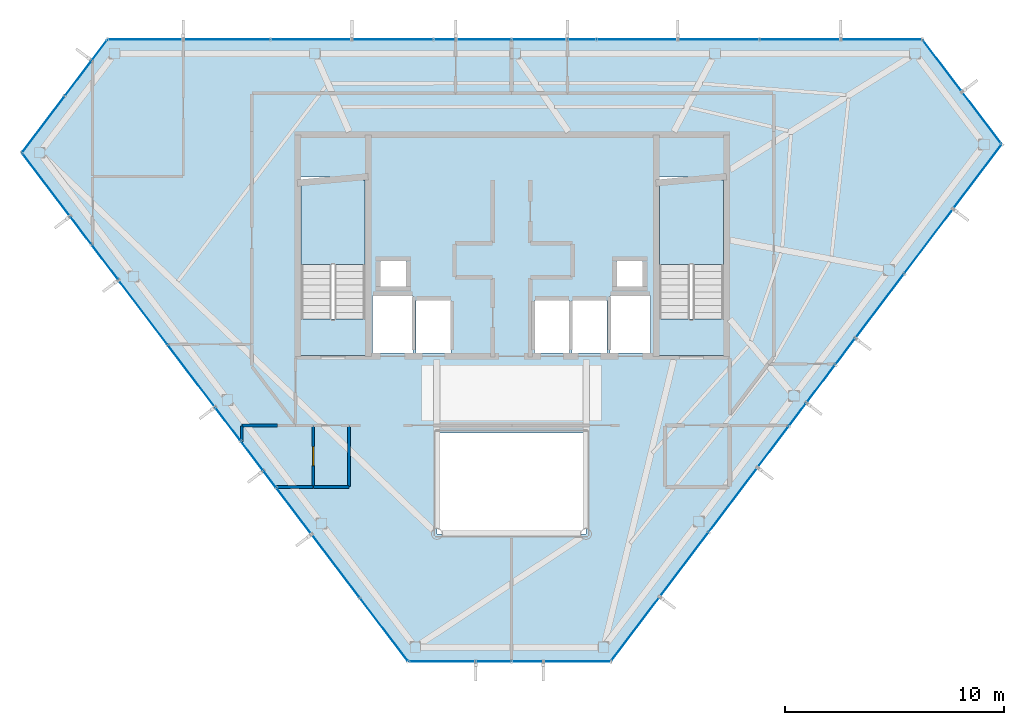
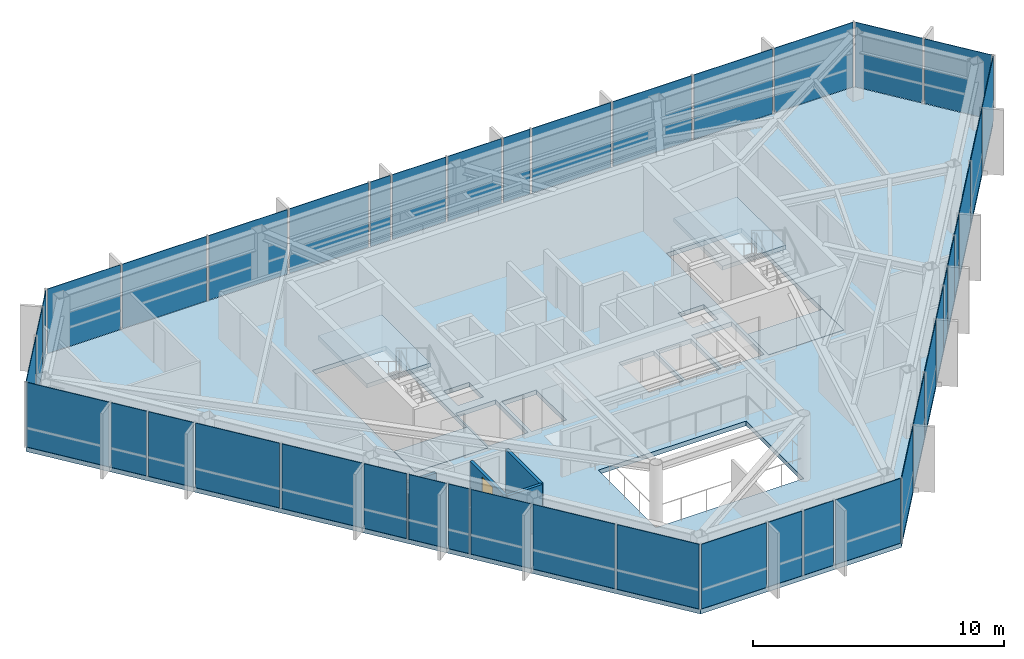
# One storey, part 20 of 24: 42 plates, 6 walls, 5 slabs, 1 door, 1 opening, 8 elements without a shape of their own.
"""IFC4 building model written with IfcOpenShell, lengths in metres."""

from ifc_helpers import new_model, si_unit, direction, frame, frame_2d, origin, origin_2d, place, context, subcontext, project, spatial, polyline, rectangle, outline, extrude, material, layer, layer_set, type_object, element, fill, aggregate, save


model = new_model("IFC4")

# Units and contexts
model_context = context("Model", 3, precision=1e-05, world=origin(), true_north=direction((0.0, 1.0)))
body_context = subcontext(model_context, "Body", "Model", "MODEL_VIEW")
ifc_project = project(units=[si_unit("LENGTHUNIT", "METRE"), si_unit("AREAUNIT", "SQUARE_METRE"), si_unit("VOLUMEUNIT", "CUBIC_METRE"), si_unit("PLANEANGLEUNIT", "RADIAN"), si_unit("MASSUNIT", "GRAM", prefix="KILO")], contexts=[model_context])

# Site, building, storey
site_placement = place(None, origin())
site = spatial("IfcSite", under=ifc_project, at=site_placement, CompositionType="ELEMENT")
building_placement = place(site_placement, origin())
building = spatial("IfcBuilding", under=site, at=building_placement, Name="Zarrinselat Tower", CompositionType="ELEMENT")
storey_placement = place(building_placement, frame((0.0, 0.0, 268.60009765625)))
storey = spatial("IfcBuildingStorey", under=building, at=storey_placement, Name="L68", CompositionType="ELEMENT", Elevation=268.60009765625)

# Curtain wall, plates
ifc_material_1 = material(Name="Extruded Aluminium Alloy EN AW-6063 T6", Category="aluminium")
ifc_layer_1 = layer(ifc_material_1, 0.169921875)
ifc_layer_set_1 = layer_set([ifc_layer_1], Name="Extruded Aluminium Alloy EN AW-6063 T6")
curtain_wall_type_1 = type_object("IfcCurtainWallType", Name="CWS-RES", PredefinedType="NOTDEFINED", material=ifc_layer_set_1)
curtain_wall_1_placement = place(storey_placement, origin())
curtain_wall_1 = element("IfcCurtainWall", 1, at=curtain_wall_1_placement, inside=storey, type_object=curtain_wall_type_1, Name="L68 Unitised Curtain Wall CW-L68-E01", PredefinedType="NOTDEFINED")
ifc_material_2 = material(Name="Double Low-E Laminated Solar Glass", Category="glass")
ifc_layer_2 = layer(ifc_material_2, 0.028076171875)
ifc_layer_set_2 = layer_set([ifc_layer_2], Name="Double Low-E Laminated Solar Glass")
plate_type = type_object("IfcPlateType", Name="PLT-CW-GL28", PredefinedType="CURTAIN_PANEL", material=ifc_layer_set_2)
plate_1_placement = place(storey_placement, frame((55.26904296875, 47.75, 0.02001953125), z_axis=(0.0, 0.0, 1.0), x_axis=(-1.0, 0.0, 0.0)))
plate_1 = element("IfcPlate", 2, at=plate_1_placement, type_object=plate_type, Name="CW-L68-E01 Vision Glass Panel 1", PredefinedType="CURTAIN_PANEL", context=body_context, shape_type="SweptSolid", body=[
    extrude(rectangle(XDim=3.6142578125, YDim=0.028076171875, at=origin_2d()), origin(), (0.0, 0.0, 1.0), 3.139892578125),
])
plate_2_placement = place(storey_placement, frame((51.5546875, 47.75, 0.02001953125), z_axis=(0.0, 0.0, 1.0), x_axis=(-1.0, 0.0, 0.0)))
plate_2 = element("IfcPlate", 3, at=plate_2_placement, type_object=plate_type, Name="CW-L68-E01 Vision Glass Panel 2", PredefinedType="CURTAIN_PANEL", context=body_context, shape_type="SweptSolid", body=[
    extrude(rectangle(XDim=3.6142578125, YDim=0.028076171875, at=origin_2d()), origin(), (0.0, 0.0, 1.0), 3.139892578125),
])
plate_3_placement = place(storey_placement, frame((47.840576171875, 47.75, 0.02001953125), z_axis=(0.0, 0.0, 1.0), x_axis=(-1.0, 0.0, 0.0)))
plate_3 = element("IfcPlate", 4, at=plate_3_placement, type_object=plate_type, Name="CW-L68-E01 Vision Glass Panel 3", PredefinedType="CURTAIN_PANEL", context=body_context, shape_type="SweptSolid", body=[
    extrude(rectangle(XDim=3.6142578125, YDim=0.028076171875, at=origin_2d()), origin(), (0.0, 0.0, 1.0), 3.139892578125),
])
plate_4_placement = place(storey_placement, frame((44.12646484375, 47.75, 0.02001953125), z_axis=(0.0, 0.0, 1.0), x_axis=(-1.0, 0.0, 0.0)))
plate_4 = element("IfcPlate", 5, at=plate_4_placement, type_object=plate_type, Name="CW-L68-E01 Vision Glass Panel 4", PredefinedType="CURTAIN_PANEL", context=body_context, shape_type="SweptSolid", body=[
    extrude(rectangle(XDim=3.6142578125, YDim=0.028076171875, at=origin_2d()), origin(), (0.0, 0.0, 1.0), 3.139892578125),
])
plate_5_placement = place(storey_placement, frame((41.609619140625, 47.75, 0.02001953125), z_axis=(0.0, 0.0, 1.0), x_axis=(-1.0, 0.0, 0.0)))
plate_5 = element("IfcPlate", 6, at=plate_5_placement, type_object=plate_type, Name="CW-L68-E01 Vision Glass Panel 5", PredefinedType="CURTAIN_PANEL", context=body_context, shape_type="SweptSolid", body=[
    extrude(rectangle(XDim=1.21923828125, YDim=0.028076171875, at=origin_2d()), origin(), (0.0, 0.0, 1.0), 3.139892578125),
])
plate_6_placement = place(storey_placement, frame((39.675048828125, 47.75, 0.02001953125), z_axis=(0.0, 0.0, 1.0), x_axis=(-1.0, 0.0, 0.0)))
plate_6 = element("IfcPlate", 7, at=plate_6_placement, type_object=plate_type, Name="CW-L68-E01 Vision Glass Panel 6", PredefinedType="CURTAIN_PANEL", context=body_context, shape_type="SweptSolid", body=[
    extrude(rectangle(XDim=2.449951171875, YDim=0.028076171875, at=origin_2d()), origin(), (0.0, 0.0, 1.0), 3.139892578125),
])
plate_7_placement = place(storey_placement, frame((37.125, 47.75, 0.02001953125), z_axis=(0.0, 0.0, 1.0), x_axis=(-1.0, 0.0, 0.0)))
plate_7 = element("IfcPlate", 8, at=plate_7_placement, type_object=plate_type, Name="CW-L68-E01 Vision Glass Panel 7", PredefinedType="CURTAIN_PANEL", context=body_context, shape_type="SweptSolid", body=[
    extrude(rectangle(XDim=2.449951171875, YDim=0.028076171875, at=origin_2d()), origin(), (0.0, 0.0, 1.0), 3.139892578125),
])
plate_8_placement = place(storey_placement, frame((35.345458984375, 47.75, 0.02001953125), z_axis=(0.0, 0.0, 1.0), x_axis=(-1.0, 0.0, 0.0)))
plate_8 = element("IfcPlate", 9, at=plate_8_placement, type_object=plate_type, Name="CW-L68-E01 Vision Glass Panel 8", PredefinedType="CURTAIN_PANEL", context=body_context, shape_type="SweptSolid", body=[
    extrude(rectangle(XDim=0.9091796875, YDim=0.028076171875, at=origin_2d()), origin(), (0.0, 0.0, 1.0), 3.139892578125),
])
plate_9_placement = place(storey_placement, frame((32.983642578125, 47.75, 0.02001953125), z_axis=(0.0, 0.0, 1.0), x_axis=(-1.0, 0.0, 0.0)))
plate_9 = element("IfcPlate", 10, at=plate_9_placement, type_object=plate_type, Name="CW-L68-E01 Vision Glass Panel 9", PredefinedType="CURTAIN_PANEL", context=body_context, shape_type="SweptSolid", body=[
    extrude(rectangle(XDim=3.6142578125, YDim=0.028076171875, at=origin_2d()), origin(), (0.0, 0.0, 1.0), 3.139892578125),
])
plate_10_placement = place(storey_placement, frame((29.269287109375, 47.75, 0.02001953125), z_axis=(0.0, 0.0, 1.0), x_axis=(-1.0, 0.0, 0.0)))
plate_10 = element("IfcPlate", 11, at=plate_10_placement, type_object=plate_type, Name="CW-L68-E01 Vision Glass Panel 10", PredefinedType="CURTAIN_PANEL", context=body_context, shape_type="SweptSolid", body=[
    extrude(rectangle(XDim=3.6142578125, YDim=0.028076171875, at=origin_2d()), origin(), (0.0, 0.0, 1.0), 3.139892578125),
])
plate_11_placement = place(storey_placement, frame((25.42578125, 47.75, 0.02001953125), z_axis=(0.0, 0.0, 1.0), x_axis=(-1.0, 0.0, 0.0)))
plate_11 = element("IfcPlate", 12, at=plate_11_placement, type_object=plate_type, Name="CW-L68-E01 Vision Glass Panel 11", PredefinedType="CURTAIN_PANEL", context=body_context, shape_type="SweptSolid", body=[
    extrude(rectangle(XDim=3.873046875, YDim=0.028076171875, at=origin_2d()), origin(), (0.0, 0.0, 1.0), 3.139892578125),
])
plate_12_placement = place(storey_placement, frame((21.71142578125, 47.75, 0.02001953125), z_axis=(0.0, 0.0, 1.0), x_axis=(-1.0, 0.0, 0.0)))
plate_12 = element("IfcPlate", 13, at=plate_12_placement, type_object=plate_type, Name="CW-L68-E01 Vision Glass Panel 12", PredefinedType="CURTAIN_PANEL", context=body_context, shape_type="SweptSolid", body=[
    extrude(rectangle(XDim=3.35546875, YDim=0.028076171875, at=origin_2d()), origin(), (0.0, 0.0, 1.0), 3.139892578125),
])
aggregate(curtain_wall_1, [plate_1, plate_2, plate_3, plate_4, plate_5, plate_6, plate_7, plate_8, plate_9, plate_10, plate_11, plate_12])

curtain_wall_2_placement = place(storey_placement, origin())
curtain_wall_2 = element("IfcCurtainWall", 14, at=curtain_wall_2_placement, inside=storey, type_object=curtain_wall_type_1, Name="L68 Unitised Curtain Wall CW-L68-E02", PredefinedType="NOTDEFINED")
plate_13_placement = place(storey_placement, frame((19.619140625, 47.267822265625, 0.02001953125), z_axis=(0.0, 0.0, 1.0), x_axis=(-0.603180355329, -0.797604826305, 0.0)))
plate_13 = element("IfcPlate", 15, at=plate_13_placement, type_object=plate_type, Name="CW-L68-E02 Vision Glass Panel 1", PredefinedType="CURTAIN_PANEL", context=body_context, shape_type="SweptSolid", body=[
    extrude(rectangle(XDim=1.109130859375, YDim=0.028076171875, at=origin_2d()), origin(), (0.0, 0.0, 1.0), 3.139892578125),
])
plate_14_placement = place(storey_placement, frame((18.64208984375, 45.9755859375, 0.02001953125), z_axis=(0.0, 0.0, 1.0), x_axis=(-0.603180355329, -0.797604826305, 0.0)))
plate_14 = element("IfcPlate", 16, at=plate_14_placement, type_object=plate_type, Name="CW-L68-E02 Vision Glass Panel 2", PredefinedType="CURTAIN_PANEL", context=body_context, shape_type="SweptSolid", body=[
    extrude(rectangle(XDim=1.930908203125, YDim=0.028076171875, at=origin_2d()), origin(), (0.0, 0.0, 1.0), 3.139892578125),
])
plate_15_placement = place(storey_placement, frame((17.05224609375, 43.87353515625, 0.02001953125), z_axis=(0.0, 0.0, 1.0), x_axis=(-0.603180355329, -0.797604826305, 0.0)))
plate_15 = element("IfcPlate", 17, at=plate_15_placement, type_object=plate_type, Name="CW-L68-E02 Vision Glass Panel 3", PredefinedType="CURTAIN_PANEL", context=body_context, shape_type="SweptSolid", body=[
    extrude(rectangle(XDim=3.14013671875, YDim=0.028076171875, at=origin_2d()), origin(), (0.0, 0.0, 1.0), 3.139892578125),
])
aggregate(curtain_wall_2, [plate_13, plate_14, plate_15])

curtain_wall_3_placement = place(storey_placement, origin())
curtain_wall_3 = element("IfcCurtainWall", 18, at=curtain_wall_3_placement, inside=storey, type_object=curtain_wall_type_1, Name="L68 Unitised Curtain Wall CW-L68-E03", PredefinedType="NOTDEFINED")
plate_16_placement = place(storey_placement, frame((17.17578125, 41.1318359375, 0.02001953125), z_axis=(0.0, 0.0, 1.0), x_axis=(0.604787567266, -0.796386839721, 0.0)))
plate_16 = element("IfcPlate", 19, at=plate_16_placement, type_object=plate_type, Name="CW-L68-E03 Vision Glass Panel 1", PredefinedType="CURTAIN_PANEL", context=body_context, shape_type="SweptSolid", body=[
    extrude(rectangle(XDim=3.540283203125, YDim=0.028076171875, at=origin_2d()), origin(), (0.0, 0.0, 1.0), 3.139892578125),
])
plate_17_placement = place(storey_placement, frame((18.765625, 39.03857421875, 0.02001953125), z_axis=(0.0, 0.0, 1.0), x_axis=(0.604787567266, -0.796386839721, 0.0)))
plate_17 = element("IfcPlate", 20, at=plate_17_placement, type_object=plate_type, Name="CW-L68-E03 Vision Glass Panel 2", PredefinedType="CURTAIN_PANEL", context=body_context, shape_type="SweptSolid", body=[
    extrude(rectangle(XDim=1.5166015625, YDim=0.028076171875, at=origin_2d()), origin(), (0.0, 0.0, 1.0), 3.139892578125),
])
plate_18_placement = place(storey_placement, frame((19.866455078125, 37.5888671875, 0.02001953125), z_axis=(0.0, 0.0, 1.0), x_axis=(0.604787567266, -0.796386839721, 0.0)))
plate_18 = element("IfcPlate", 21, at=plate_18_placement, type_object=plate_type, Name="CW-L68-E03 Vision Glass Panel 3", PredefinedType="CURTAIN_PANEL", context=body_context, shape_type="SweptSolid", body=[
    extrude(rectangle(XDim=1.923583984375, YDim=0.028076171875, at=origin_2d()), origin(), (0.0, 0.0, 1.0), 3.139892578125),
])
plate_19_placement = place(storey_placement, frame((21.605712890625, 35.298583984375, 0.02001953125), z_axis=(0.0, 0.0, 1.0), x_axis=(0.604787567266, -0.796386839721, 0.0)))
plate_19 = element("IfcPlate", 22, at=plate_19_placement, type_object=plate_type, Name="CW-L68-E03 Vision Glass Panel 4", PredefinedType="CURTAIN_PANEL", context=body_context, shape_type="SweptSolid", body=[
    extrude(rectangle(XDim=3.628173828125, YDim=0.028076171875, at=origin_2d()), origin(), (0.0, 0.0, 1.0), 3.139892578125),
])
plate_20_placement = place(storey_placement, frame((23.8076171875, 32.3994140625, 0.02001953125), z_axis=(0.0, 0.0, 1.0), x_axis=(0.604787567266, -0.796386839721, 0.0)))
plate_20 = element("IfcPlate", 23, at=plate_20_placement, type_object=plate_type, Name="CW-L68-E03 Vision Glass Panel 5", PredefinedType="CURTAIN_PANEL", context=body_context, shape_type="SweptSolid", body=[
    extrude(rectangle(XDim=3.45263671875, YDim=0.028076171875, at=origin_2d()), origin(), (0.0, 0.0, 1.0), 3.139892578125),
])
plate_21_placement = place(storey_placement, frame((25.467041015625, 30.214111328125, 0.02001953125), z_axis=(0.0, 0.0, 1.0), x_axis=(0.604787567266, -0.796386839721, 0.0)))
plate_21 = element("IfcPlate", 24, at=plate_21_placement, type_object=plate_type, Name="CW-L68-E03 Vision Glass Panel 6", PredefinedType="CURTAIN_PANEL", context=body_context, shape_type="SweptSolid", body=[
    extrude(rectangle(XDim=1.835205078125, YDim=0.028076171875, at=origin_2d()), origin(), (0.0, 0.0, 1.0), 3.139892578125),
])
plate_22_placement = place(storey_placement, frame((26.56787109375, 28.764404296875, 0.02001953125), z_axis=(0.0, 0.0, 1.0), x_axis=(0.604787567266, -0.796386839721, 0.0)))
plate_22 = element("IfcPlate", 25, at=plate_22_placement, type_object=plate_type, Name="CW-L68-E03 Vision Glass Panel 7", PredefinedType="CURTAIN_PANEL", context=body_context, shape_type="SweptSolid", body=[
    extrude(rectangle(XDim=1.605224609375, YDim=0.028076171875, at=origin_2d()), origin(), (0.0, 0.0, 1.0), 3.139892578125),
])
plate_23_placement = place(storey_placement, frame((27.37890625, 27.696533203125, 0.02001953125), z_axis=(0.0, 0.0, 1.0), x_axis=(0.604787567266, -0.796386839721, 0.0)))
plate_23 = element("IfcPlate", 26, at=plate_23_placement, type_object=plate_type, Name="CW-L68-E03 Vision Glass Panel 8", PredefinedType="CURTAIN_PANEL", context=body_context, shape_type="SweptSolid", body=[
    extrude(rectangle(XDim=0.876708984375, YDim=0.028076171875, at=origin_2d()), origin(), (0.0, 0.0, 1.0), 3.139892578125),
])
plate_24_placement = place(storey_placement, frame((28.479736328125, 26.2470703125, 0.02001953125), z_axis=(0.0, 0.0, 1.0), x_axis=(0.604787567266, -0.796386839721, 0.0)))
plate_24 = element("IfcPlate", 27, at=plate_24_placement, type_object=plate_type, Name="CW-L68-E03 Vision Glass Panel 9", PredefinedType="CURTAIN_PANEL", context=body_context, shape_type="SweptSolid", body=[
    extrude(rectangle(XDim=2.563720703125, YDim=0.028076171875, at=origin_2d()), origin(), (0.0, 0.0, 1.0), 3.139892578125),
])
plate_25_placement = place(storey_placement, frame((30.385986328125, 23.73681640625, 0.02001953125), z_axis=(0.0, 0.0, 1.0), x_axis=(0.604787567266, -0.796386839721, 0.0)))
plate_25 = element("IfcPlate", 28, at=plate_25_placement, type_object=plate_type, Name="CW-L68-E03 Vision Glass Panel 10", PredefinedType="CURTAIN_PANEL", context=body_context, shape_type="SweptSolid", body=[
    extrude(rectangle(XDim=3.540283203125, YDim=0.028076171875, at=origin_2d()), origin(), (0.0, 0.0, 1.0), 3.139892578125),
])
plate_26_placement = place(storey_placement, frame((32.587646484375, 20.837646484375, 0.02001953125), z_axis=(0.0, 0.0, 1.0), x_axis=(0.604787567266, -0.796386839721, 0.0)))
plate_26 = element("IfcPlate", 29, at=plate_26_placement, type_object=plate_type, Name="CW-L68-E03 Vision Glass Panel 11", PredefinedType="CURTAIN_PANEL", context=body_context, shape_type="SweptSolid", body=[
    extrude(rectangle(XDim=3.540283203125, YDim=0.028076171875, at=origin_2d()), origin(), (0.0, 0.0, 1.0), 3.139892578125),
])
aggregate(curtain_wall_3, [plate_16, plate_17, plate_18, plate_19, plate_20, plate_21, plate_22, plate_23, plate_24, plate_25, plate_26])

curtain_wall_4_placement = place(storey_placement, origin())
curtain_wall_4 = element("IfcCurtainWall", 30, at=curtain_wall_4_placement, inside=storey, type_object=curtain_wall_type_1, Name="L68 Unitised Curtain Wall CW-L68-E04", PredefinedType="NOTDEFINED")
plate_27_placement = place(storey_placement, frame((35.228271484375, 19.387939453125, 0.02001953125), z_axis=(0.0, 0.0, 1.0), x_axis=(1.0, 0.0, 0.0)))
plate_27 = element("IfcPlate", 31, at=plate_27_placement, type_object=plate_type, Name="CW-L68-E04 Vision Glass Panel 1", PredefinedType="CURTAIN_PANEL", context=body_context, shape_type="SweptSolid", body=[
    extrude(rectangle(XDim=2.9794921875, YDim=0.028076171875, at=origin_2d()), origin(), (0.0, 0.0, 1.0), 3.139892578125),
])
plate_28_placement = place(storey_placement, frame((37.583984375, 19.387939453125, 0.02001953125), z_axis=(0.0, 0.0, 1.0), x_axis=(1.0, 0.0, 0.0)))
plate_28 = element("IfcPlate", 32, at=plate_28_placement, type_object=plate_type, Name="CW-L68-E04 Vision Glass Panel 2", PredefinedType="CURTAIN_PANEL", context=body_context, shape_type="SweptSolid", body=[
    extrude(rectangle(XDim=1.531982421875, YDim=0.028076171875, at=origin_2d()), origin(), (0.0, 0.0, 1.0), 3.139892578125),
])
plate_29_placement = place(storey_placement, frame((39.123779296875, 19.387939453125, 0.02001953125), z_axis=(0.0, 0.0, 1.0), x_axis=(1.0, 0.0, 0.0)))
plate_29 = element("IfcPlate", 33, at=plate_29_placement, type_object=plate_type, Name="CW-L68-E04 Vision Glass Panel 3", PredefinedType="CURTAIN_PANEL", context=body_context, shape_type="SweptSolid", body=[
    extrude(rectangle(XDim=1.34765625, YDim=0.028076171875, at=origin_2d()), origin(), (0.0, 0.0, 1.0), 3.139892578125),
])
plate_30_placement = place(storey_placement, frame((41.38720703125, 19.387939453125, 0.02001953125), z_axis=(0.0, 0.0, 1.0), x_axis=(1.0, 0.0, 0.0)))
plate_30 = element("IfcPlate", 34, at=plate_30_placement, type_object=plate_type, Name="CW-L68-E04 Vision Glass Panel 4", PredefinedType="CURTAIN_PANEL", context=body_context, shape_type="SweptSolid", body=[
    extrude(rectangle(XDim=2.9794921875, YDim=0.028076171875, at=origin_2d()), origin(), (0.0, 0.0, 1.0), 3.139892578125),
])
aggregate(curtain_wall_4, [plate_27, plate_28, plate_29, plate_30])

ifc_material_3 = material(Name="Extruded Aluminium Alloy EN AW-6063 T6", Category="aluminium")
ifc_layer_3 = layer(ifc_material_3, 0.199951171875)
ifc_layer_set_3 = layer_set([ifc_layer_3], Name="Extruded Aluminium Alloy EN AW-6063 T6")
curtain_wall_type_2 = type_object("IfcCurtainWallType", Name="CWS-BLADE", PredefinedType="NOTDEFINED", material=ifc_layer_set_3)
curtain_wall_5_placement = place(storey_placement, origin())
curtain_wall_5 = element("IfcCurtainWall", 35, at=curtain_wall_5_placement, inside=storey, type_object=curtain_wall_type_2, Name="L68 Unitised Curtain Wall CW-L68-E05", PredefinedType="NOTDEFINED")
plate_31_placement = place(storey_placement, frame((44.04150390625, 20.86181640625, 0.02001953125), z_axis=(0.0, 0.0, 1.0), x_axis=(0.603169586453, 0.797612970041, 0.0)))
plate_31 = element("IfcPlate", 36, at=plate_31_placement, type_object=plate_type, Name="CW-L68-E05 Vision Glass Panel 1", PredefinedType="CURTAIN_PANEL", context=body_context, shape_type="SweptSolid", body=[
    extrude(rectangle(XDim=3.59521484375, YDim=0.028076171875, at=origin_2d()), origin(), (0.0, 0.0, 1.0), 3.139892578125),
])
plate_32_placement = place(storey_placement, frame((46.2705078125, 23.80908203125, 0.02001953125), z_axis=(0.0, 0.0, 1.0), x_axis=(0.603169586453, 0.797612970041, 0.0)))
plate_32 = element("IfcPlate", 37, at=plate_32_placement, type_object=plate_type, Name="CW-L68-E05 Vision Glass Panel 2", PredefinedType="CURTAIN_PANEL", context=body_context, shape_type="SweptSolid", body=[
    extrude(rectangle(XDim=3.59521484375, YDim=0.028076171875, at=origin_2d()), origin(), (0.0, 0.0, 1.0), 3.139892578125),
])
plate_33_placement = place(storey_placement, frame((48.499267578125, 26.756591796875, 0.02001953125), z_axis=(0.0, 0.0, 1.0), x_axis=(0.603169586453, 0.797612970041, 0.0)))
plate_33 = element("IfcPlate", 38, at=plate_33_placement, type_object=plate_type, Name="CW-L68-E05 Vision Glass Panel 3", PredefinedType="CURTAIN_PANEL", context=body_context, shape_type="SweptSolid", body=[
    extrude(rectangle(XDim=3.59521484375, YDim=0.028076171875, at=origin_2d()), origin(), (0.0, 0.0, 1.0), 3.139892578125),
])
plate_34_placement = place(storey_placement, frame((50.325927734375, 29.172119140625, 0.02001953125), z_axis=(0.0, 0.0, 1.0), x_axis=(0.603169586453, 0.797612970041, 0.0)))
plate_34 = element("IfcPlate", 39, at=plate_34_placement, type_object=plate_type, Name="CW-L68-E05 Vision Glass Panel 4", PredefinedType="CURTAIN_PANEL", context=body_context, shape_type="SweptSolid", body=[
    extrude(rectangle(XDim=2.261474609375, YDim=0.028076171875, at=origin_2d()), origin(), (0.0, 0.0, 1.0), 3.139892578125),
])
plate_35_placement = place(storey_placement, frame((51.4404296875, 30.645751953125, 0.02001953125), z_axis=(0.0, 0.0, 1.0), x_axis=(0.603169586453, 0.797612970041, 0.0)))
plate_35 = element("IfcPlate", 40, at=plate_35_placement, type_object=plate_type, Name="CW-L68-E05 Vision Glass Panel 5", PredefinedType="CURTAIN_PANEL", context=body_context, shape_type="SweptSolid", body=[
    extrude(rectangle(XDim=1.23388671875, YDim=0.028076171875, at=origin_2d()), origin(), (0.0, 0.0, 1.0), 3.139892578125),
])
plate_36_placement = place(storey_placement, frame((52.50146484375, 32.048828125, 0.02001953125), z_axis=(0.0, 0.0, 1.0), x_axis=(0.603169586453, 0.797612970041, 0.0)))
plate_36 = element("IfcPlate", 41, at=plate_36_placement, type_object=plate_type, Name="CW-L68-E05 Vision Glass Panel 6", PredefinedType="CURTAIN_PANEL", context=body_context, shape_type="SweptSolid", body=[
    extrude(rectangle(XDim=2.084716796875, YDim=0.028076171875, at=origin_2d()), origin(), (0.0, 0.0, 1.0), 3.139892578125),
])
plate_37_placement = place(storey_placement, frame((53.615966796875, 33.522705078125, 0.02001953125), z_axis=(0.0, 0.0, 1.0), x_axis=(0.603169586453, 0.797612970041, 0.0)))
plate_37 = element("IfcPlate", 42, at=plate_37_placement, type_object=plate_type, Name="CW-L68-E05 Vision Glass Panel 7", PredefinedType="CURTAIN_PANEL", context=body_context, shape_type="SweptSolid", body=[
    extrude(rectangle(XDim=1.41064453125, YDim=0.028076171875, at=origin_2d()), origin(), (0.0, 0.0, 1.0), 3.139892578125),
])
plate_38_placement = place(storey_placement, frame((55.18603515625, 35.598876953125, 0.02001953125), z_axis=(0.0, 0.0, 1.0), x_axis=(0.603169586453, 0.797612970041, 0.0)))
plate_38 = element("IfcPlate", 43, at=plate_38_placement, type_object=plate_type, Name="CW-L68-E05 Vision Glass Panel 8", PredefinedType="CURTAIN_PANEL", context=body_context, shape_type="SweptSolid", body=[
    extrude(rectangle(XDim=3.59521484375, YDim=0.028076171875, at=origin_2d()), origin(), (0.0, 0.0, 1.0), 3.139892578125),
])
plate_39_placement = place(storey_placement, frame((57.414794921875, 38.546142578125, 0.02001953125), z_axis=(0.0, 0.0, 1.0), x_axis=(0.603169586453, 0.797612970041, 0.0)))
plate_39 = element("IfcPlate", 44, at=plate_39_placement, type_object=plate_type, Name="CW-L68-E05 Vision Glass Panel 9", PredefinedType="CURTAIN_PANEL", context=body_context, shape_type="SweptSolid", body=[
    extrude(rectangle(XDim=3.59521484375, YDim=0.028076171875, at=origin_2d()), origin(), (0.0, 0.0, 1.0), 3.139892578125),
])
plate_40_placement = place(storey_placement, frame((59.643798828125, 41.49365234375, 0.02001953125), z_axis=(0.0, 0.0, 1.0), x_axis=(0.603169586453, 0.797612970041, 0.0)))
plate_40 = element("IfcPlate", 45, at=plate_40_placement, type_object=plate_type, Name="CW-L68-E05 Vision Glass Panel 10", PredefinedType="CURTAIN_PANEL", context=body_context, shape_type="SweptSolid", body=[
    extrude(rectangle(XDim=3.59521484375, YDim=0.028076171875, at=origin_2d()), origin(), (0.0, 0.0, 1.0), 3.139892578125),
])
aggregate(curtain_wall_5, [plate_31, plate_32, plate_33, plate_34, plate_35, plate_36, plate_37, plate_38, plate_39, plate_40])

curtain_wall_6_placement = place(storey_placement, origin())
curtain_wall_6 = element("IfcCurtainWall", 46, at=curtain_wall_6_placement, inside=storey, type_object=curtain_wall_type_1, Name="L68 Unitised Curtain Wall CW-L68-E06", PredefinedType="NOTDEFINED")
plate_41_placement = place(storey_placement, frame((59.85009765625, 44.1630859375, 0.02001953125), z_axis=(0.0, 0.0, 1.0), x_axis=(-0.604782197055, 0.796390917907, 0.0)))
plate_41 = element("IfcPlate", 47, at=plate_41_placement, type_object=plate_type, Name="CW-L68-E06 Vision Glass Panel 1", PredefinedType="CURTAIN_PANEL", context=body_context, shape_type="SweptSolid", body=[
    extrude(rectangle(XDim=2.902587890625, YDim=0.028076171875, at=origin_2d()), origin(), (0.0, 0.0, 1.0), 3.139892578125),
])
plate_42_placement = place(storey_placement, frame((58.0341796875, 46.55419921875, 0.02001953125), z_axis=(0.0, 0.0, 1.0), x_axis=(-0.604782197055, 0.796390917907, 0.0)))
plate_42 = element("IfcPlate", 48, at=plate_42_placement, type_object=plate_type, Name="CW-L68-E06 Vision Glass Panel 2", PredefinedType="CURTAIN_PANEL", context=body_context, shape_type="SweptSolid", body=[
    extrude(rectangle(XDim=2.902587890625, YDim=0.028076171875, at=origin_2d()), origin(), (0.0, 0.0, 1.0), 3.139892578125),
])
aggregate(curtain_wall_6, [plate_41, plate_42])

# Slabs
ifc_material_4 = material(Name="Concrete C40/50", Category="concrete")
ifc_layer_4 = layer(ifc_material_4, 0.219970703125)
ifc_layer_set_4 = layer_set([ifc_layer_4], Name="Concrete C40/50")
slab_type_1 = type_object("IfcSlabType", Name="SLB-FLOOR-220-SL-RS220", PredefinedType="FLOOR", material=ifc_layer_set_4)
slab_1_placement = place(storey_placement, frame((0.0, 0.0, -0.22021484375)))
element("IfcSlab", 49, at=slab_1_placement, inside=storey, type_object=slab_type_1, Name="L68 Primary Structural Slab", PredefinedType="FLOOR", context=body_context, shape_type="SweptSolid", body=[
    extrude(outline(polyline([(57.126220703125, 47.75), (19.98388671875, 47.75), (16.0751953125, 42.581298828125), (33.6884765625, 19.387939453125), (42.927001953125, 19.387939453125), (60.75830078125, 42.96728515625), (57.126220703125, 47.75)]), holes=[polyline([(41.800048828125, 25.199951171875), (35.0, 25.199951171875), (35.0, 29.800048828125), (41.800048828125, 29.800048828125), (41.800048828125, 25.199951171875)]), polyline([(35.64990234375, 33.449951171875), (34.050048828125, 33.449951171875), (34.050048828125, 35.85009765625), (35.64990234375, 35.85009765625), (35.64990234375, 33.449951171875)]), polyline([(41.050048828125, 33.449951171875), (39.449951171875, 33.449951171875), (39.449951171875, 35.85009765625), (41.050048828125, 35.85009765625), (41.050048828125, 33.449951171875)]), polyline([(41.14990234375, 33.449951171875), (41.14990234375, 35.85009765625), (42.75, 35.85009765625), (42.75, 33.449951171875), (41.14990234375, 33.449951171875)]), polyline([(32.06005859375, 33.449951171875), (32.06005859375, 36.050048828125), (33.89990234375, 36.050048828125), (33.89990234375, 33.449951171875), (32.06005859375, 33.449951171875)]), polyline([(44.739990234375, 33.449951171875), (42.89990234375, 33.449951171875), (42.89990234375, 36.050048828125), (44.739990234375, 36.050048828125), (44.739990234375, 33.449951171875)]), polyline([(33.60009765625, 36.47998046875), (32.419921875, 36.47998046875), (32.419921875, 37.639892578125), (33.60009765625, 37.639892578125), (33.60009765625, 36.47998046875)]), polyline([(44.3798828125, 36.47998046875), (43.199951171875, 36.47998046875), (43.199951171875, 37.639892578125), (44.3798828125, 37.639892578125), (44.3798828125, 36.47998046875)]), polyline([(31.985107421875, 33.324951171875), (28.60498046875, 33.324951171875), (28.60498046875, 41.47509765625), (31.985107421875, 41.47509765625), (31.985107421875, 33.324951171875)]), polyline([(48.324951171875, 33.324951171875), (44.875, 33.324951171875), (44.875, 41.47509765625), (48.324951171875, 41.47509765625), (48.324951171875, 33.324951171875)])]), origin(), (0.0, 0.0, 1.0), 0.22021484375),
])
slab_2_placement = place(storey_placement, frame((0.0, 0.0, -0.22021484375)))
element("IfcSlab", 50, at=slab_2_placement, inside=storey, type_object=slab_type_1, Name="L68 Stair ST-1-FL1 Structural Floor Landing", PredefinedType="FLOOR", context=body_context, shape_type="SweptSolid", body=[
    extrude(outline(polyline([(31.97998046875, 33.330078125), (31.97998046875, 35.0), (28.610107421875, 35.0), (28.610107421875, 33.330078125), (31.97998046875, 33.330078125)])), origin(), (0.0, 0.0, 1.0), 0.22021484375),
])
slab_3_placement = place(storey_placement, frame((0.0, 0.0, -0.22021484375)))
element("IfcSlab", 51, at=slab_3_placement, inside=storey, type_object=slab_type_1, Name="L68 Stair ST-2-FL1 Structural Floor Landing", PredefinedType="FLOOR", context=body_context, shape_type="SweptSolid", body=[
    extrude(outline(polyline([(48.320068359375, 33.330078125), (48.320068359375, 35.0), (44.8798828125, 35.0), (44.8798828125, 33.330078125), (48.320068359375, 33.330078125)])), origin(), (0.0, 0.0, 1.0), 0.22021484375),
])

# Stair, slab
ifc_material_5 = material(Name="Concrete C40/50", Category="concrete")
stair_type = type_object("IfcStairType", Name="STR-CORE-155", PredefinedType="HALF_TURN_STAIR", material=ifc_material_5)
stair_1_placement = place(storey_placement, origin())
stair_1 = element("IfcStair", 52, at=stair_1_placement, inside=storey, type_object=stair_type, Name="L68 Core Exit Stair 1", PredefinedType="HALF_TURN_STAIR")
ifc_material_6 = material(Name="Concrete C40/50", Category="concrete")
ifc_layer_5 = layer(ifc_material_6, 0.18994140625)
ifc_layer_set_5 = layer_set([ifc_layer_5], Name="Concrete C40/50")
slab_type_2 = type_object("IfcSlabType", Name="SLB-LND-190", PredefinedType="LANDING", material=ifc_layer_set_5)
slab_4_placement = place(storey_placement, frame((0.0, 0.0, 1.5)))
slab_4 = element("IfcSlab", 53, at=slab_4_placement, type_object=slab_type_2, Name="ST-1 landing 1", PredefinedType="LANDING", context=body_context, shape_type="SweptSolid", body=[
    extrude(outline(polyline([(31.719970703125, 37.47998046875), (31.719970703125, 41.35009765625), (28.800048828125, 41.35009765625), (28.800048828125, 37.47998046875), (31.719970703125, 37.47998046875)])), origin(), (0.0, 0.0, 1.0), 0.199951171875),
])
aggregate(stair_1, [slab_4])

stair_2_placement = place(storey_placement, origin())
stair_2 = element("IfcStair", 54, at=stair_2_placement, inside=storey, type_object=stair_type, Name="L68 Core Exit Stair 2", PredefinedType="HALF_TURN_STAIR")
slab_5_placement = place(storey_placement, frame((0.0, 0.0, 1.5)))
slab_5 = element("IfcSlab", 55, at=slab_5_placement, type_object=slab_type_2, Name="ST-2 landing 1", PredefinedType="LANDING", context=body_context, shape_type="SweptSolid", body=[
    extrude(outline(polyline([(48.06005859375, 37.47998046875), (48.06005859375, 41.35009765625), (45.139892578125, 41.35009765625), (45.139892578125, 37.47998046875), (48.06005859375, 37.47998046875)])), origin(), (0.0, 0.0, 1.0), 0.199951171875),
])
aggregate(stair_2, [slab_5])

# Wall, opening, door
ifc_material_7 = material(Name="Fire-Rated Gypsum Board Partition", Category="gypsum")
ifc_layer_6 = layer(ifc_material_7, 0.135009765625)
ifc_layer_set_6 = layer_set([ifc_layer_6], Name="Fire-Rated Gypsum Board Partition")
wall_type = type_object("IfcWallType", Name="WAL-PART-WET", PredefinedType="PARTITIONING", material=ifc_layer_set_6)
wall_1_placement = place(storey_placement, frame((29.360107421875, 27.3701171875, 0.0), z_axis=(0.0, 0.0, 1.0), x_axis=(0.0, 1.0, 0.0)))
wall_1 = element("IfcWall", 56, at=wall_1_placement, inside=storey, type_object=wall_type, Name="L68 Partition Wall 34", PredefinedType="PARTITIONING", context=body_context, shape_type="SweptSolid", body=[
    extrude(rectangle(XDim=2.759765625, YDim=0.135009765625, at=frame_2d((1.3798828125, 0.0))), origin(), (0.0, 0.0, 1.0), 2.23486328125),
])
opening_placement = place(wall_1_placement, frame((0.949951171875, 0.0, 0.0)))
opening = element("IfcOpeningElement", 57, at=opening_placement, cuts=wall_1, Name="Opening ID-06", PredefinedType="OPENING", context=body_context, shape_type="SweptSolid", body=[
    extrude(rectangle(XDim=0.860107421875, YDim=2.050048828125, at=frame_2d((0.43017578125, 1.02490234375))), frame((0.0, 0.077392578125, 0.0), z_axis=(0.0, -1.0, 0.0), x_axis=(1.0, 0.0, 0.0)), (0.0, 0.0, 1.0), 0.155029296875),
])
ifc_material_8 = material(Name="Extruded Aluminium Alloy EN AW-6063 T6", Category="aluminium")
door_type = type_object("IfcDoorType", Name="DR-INT-WET-900", OperationType="NOTDEFINED", PredefinedType="DOOR", material=ifc_material_8)
door_placement = place(opening_placement, origin())
door = element("IfcDoor", 58, at=door_placement, inside=storey, type_object=door_type, Name="L68 Interior Door P34", OperationType="SINGLE_SWING_RIGHT", OverallHeight=2.050048828125, OverallWidth=0.860107421875, PredefinedType="DOOR", context=body_context, shape_type="SweptSolid", body=[
    extrude(rectangle(XDim=0.860107421875, YDim=2.050048828125, at=frame_2d((0.43017578125, 1.02490234375))), frame((0.0, 0.02490234375, 0.0), z_axis=(0.0, -1.0, 0.0), x_axis=(1.0, 0.0, 0.0)), (0.0, 0.0, 1.0), 0.050048828125),
])
fill(opening, door)

# Walls
wall_2_placement = place(storey_placement, frame((29.3798828125, 27.35009765625, 0.0), z_axis=(0.0, 0.0, 1.0), x_axis=(1.0, 0.0, 0.0)))
element("IfcWall", 59, at=wall_2_placement, inside=storey, type_object=wall_type, Name="L68 Partition Wall 35", PredefinedType="PARTITIONING", context=body_context, shape_type="SweptSolid", body=[
    extrude(rectangle(XDim=1.60009765625, YDim=0.135009765625, at=frame_2d((0.800048828125, 0.0))), origin(), (0.0, 0.0, 1.0), 2.23486328125),
])
wall_3_placement = place(storey_placement, frame((31.0, 27.3701171875, 0.0), z_axis=(0.0, 0.0, 1.0), x_axis=(0.0, 1.0, 0.0)))
element("IfcWall", 60, at=wall_3_placement, inside=storey, type_object=wall_type, Name="L68 Partition Wall 36", PredefinedType="PARTITIONING", context=body_context, shape_type="SweptSolid", body=[
    extrude(rectangle(XDim=2.759765625, YDim=0.135009765625, at=frame_2d((1.3798828125, 0.0))), origin(), (0.0, 0.0, 1.0), 2.23486328125),
])
wall_4_placement = place(storey_placement, frame((27.656982421875, 27.35009765625, 0.0), z_axis=(0.0, 0.0, 1.0), x_axis=(1.0, 0.0, 0.0)))
element("IfcWall", 61, at=wall_4_placement, inside=storey, type_object=wall_type, Name="L68 Partition Wall 37", PredefinedType="PARTITIONING", context=body_context, shape_type="SweptSolid", body=[
    extrude(rectangle(XDim=1.68310546875, YDim=0.135009765625, at=frame_2d((0.841552734375, 0.0))), origin(), (0.0, 0.0, 1.0), 2.23486328125),
])
wall_5_placement = place(storey_placement, frame((26.10009765625, 29.3955078125, 0.0), z_axis=(0.0, 0.0, 1.0), x_axis=(0.0, 1.0, 0.0)))
element("IfcWall", 62, at=wall_5_placement, inside=storey, type_object=wall_type, Name="L68 Partition Wall 38", PredefinedType="PARTITIONING", context=body_context, shape_type="SweptSolid", body=[
    extrude(rectangle(XDim=0.734375, YDim=0.135009765625, at=frame_2d((0.3671875, 0.0))), origin(), (0.0, 0.0, 1.0), 2.23486328125),
])
wall_6_placement = place(storey_placement, frame((26.1201171875, 30.14990234375, 0.0), z_axis=(0.0, 0.0, 1.0), x_axis=(1.0, 0.0, 0.0)))
element("IfcWall", 63, at=wall_6_placement, inside=storey, type_object=wall_type, Name="L68 Partition Wall 39", PredefinedType="PARTITIONING", context=body_context, shape_type="SweptSolid", body=[
    extrude(rectangle(XDim=1.60986328125, YDim=0.135009765625, at=frame_2d((0.804931640625, 0.0))), origin(), (0.0, 0.0, 1.0), 2.23486328125),
])

save(model, "model.ifc")
